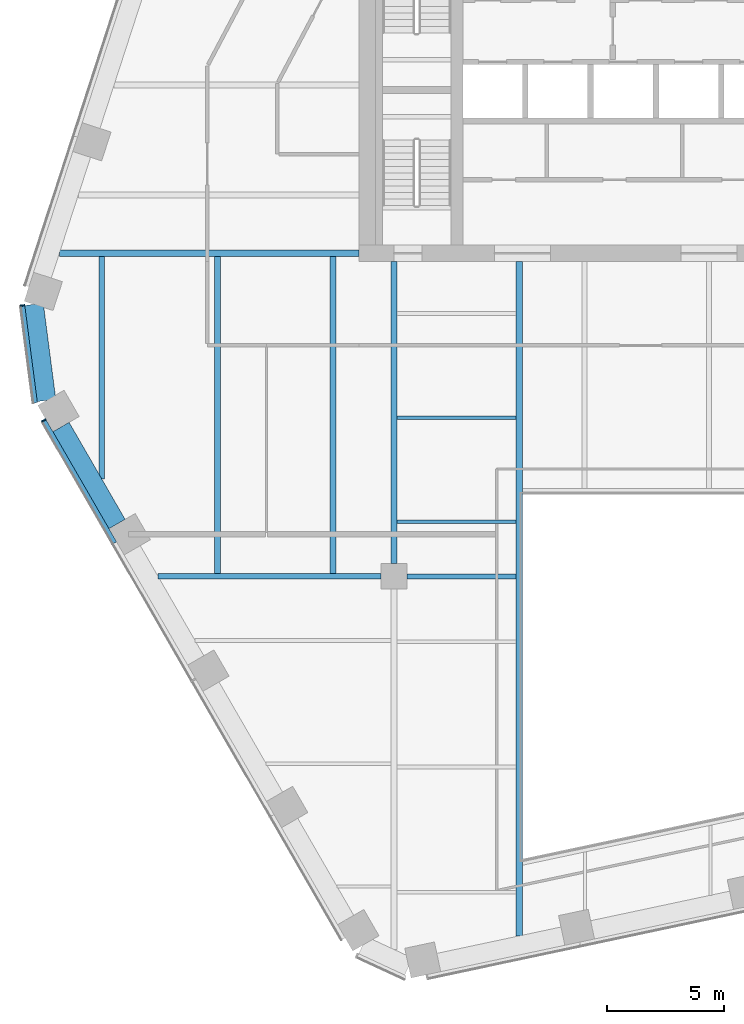
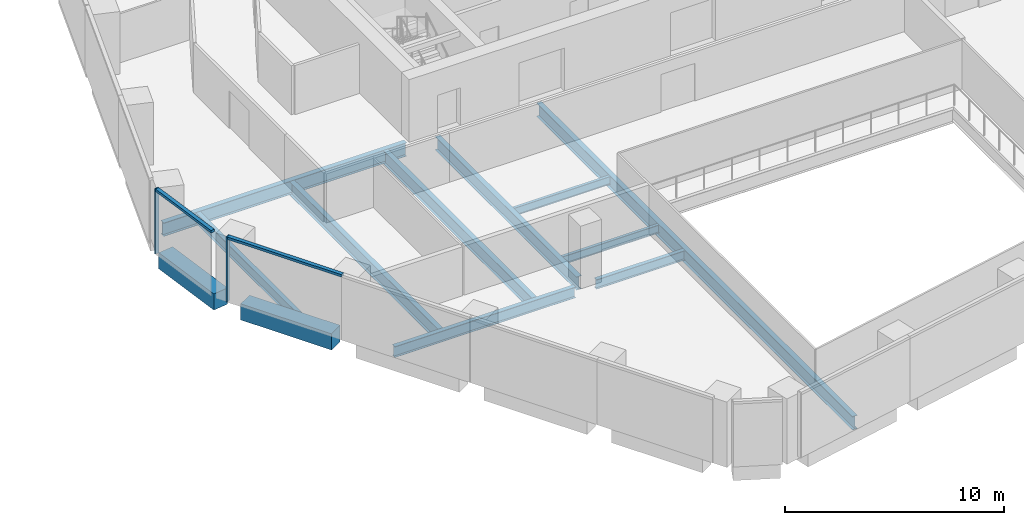
# One storey, part 3 of 16: 12 beams, 4 members, 2 elements without a shape of their own.
"""IFC4 building model written with IfcOpenShell, lengths in metres."""

from ifc_helpers import new_model, si_unit, direction, frame, origin, origin_2d, place, context, subcontext, project, spatial, rectangle, i_section, extrude, material, layer, layer_set, material_profile, profile_set, type_object, element, aggregate, save


model = new_model("IFC4")

# Units and contexts
model_context = context("Model", 3, precision=1e-05, world=origin(), true_north=direction((0.0, 1.0)))
body_context = subcontext(model_context, "Body", "Model", "MODEL_VIEW")
ifc_project = project(units=[si_unit("LENGTHUNIT", "METRE"), si_unit("AREAUNIT", "SQUARE_METRE"), si_unit("VOLUMEUNIT", "CUBIC_METRE"), si_unit("PLANEANGLEUNIT", "RADIAN"), si_unit("MASSUNIT", "GRAM", prefix="KILO")], contexts=[model_context])

# Site, building, storey
site_placement = place(None, origin())
site = spatial("IfcSite", under=ifc_project, at=site_placement, CompositionType="ELEMENT")
building_placement = place(site_placement, origin())
building = spatial("IfcBuilding", under=site, at=building_placement, Name="Isthmus Gate Tower", CompositionType="ELEMENT")
storey_placement = place(building_placement, frame((0.0, 0.0, 170.800048828125)))
storey = spatial("IfcBuildingStorey", under=building, at=storey_placement, Name="L42", CompositionType="ELEMENT", Elevation=170.800048828125)

# Curtain wall, member
ifc_material_1 = material(Name="Aluminium, pale champagne anodised", Category="aluminium")
ifc_layer = layer(ifc_material_1, 0.199951171875)
ifc_layer_set = layer_set([ifc_layer], Name="CW-1 UNITISED CURTAIN WALL 200 DEEP")
curtain_wall_type = type_object("IfcCurtainWallType", Name="CW-1 UNITISED CURTAIN WALL 200 DEEP", PredefinedType="NOTDEFINED", material=ifc_layer_set)
curtain_wall_1_placement = place(storey_placement, origin())
curtain_wall_1 = element("IfcCurtainWall", 1, at=curtain_wall_1_placement, inside=storey, type_object=curtain_wall_type, Name="CW-1 NW-SW L42", PredefinedType="NOTDEFINED")
ifc_material_2 = material(Name="Aluminium, pale champagne anodised", Category="aluminium")
ifc_material_profile_1 = material_profile(ifc_material_2, rectangle(XDim=0.06005859375, YDim=0.199951171875, at=origin_2d()), Name="60x200")
ifc_profile_set_1 = profile_set([ifc_material_profile_1], Name="Aluminium, pale champagne anodised")
member_type_1 = type_object("IfcMemberType", Name="CW-1 MULLION 60 X 200", PredefinedType="MULLION", material=ifc_profile_set_1)
member_1_placement = place(storey_placement, frame((-29.42724609375, -1.88525390625, 0.0), z_axis=(0.0, 0.0, 1.0), x_axis=(0.129164534, -0.991623175988, 0.0)))
member_1 = element("IfcMember", 2, at=member_1_placement, type_object=member_type_1, Name="CW-1 mullion", PredefinedType="MULLION", context=body_context, shape_type="SweptSolid", body=[
    extrude(rectangle(XDim=0.06005859375, YDim=0.199951171875, at=origin_2d()), origin(), (0.0, 0.0, 1.0), 3.64990234375),
])

curtain_wall_2_placement = place(storey_placement, origin())
curtain_wall_2 = element("IfcCurtainWall", 3, at=curtain_wall_2_placement, inside=storey, type_object=curtain_wall_type, Name="CW-1 SW L42", PredefinedType="NOTDEFINED")
member_2_placement = place(storey_placement, frame((-28.5146484375, -6.811279296875, 0.0), z_axis=(0.0, 0.0, 1.0), x_axis=(0.5, -0.866025403784, 0.0)))
member_2 = element("IfcMember", 4, at=member_2_placement, type_object=member_type_1, Name="CW-1 mullion", PredefinedType="MULLION", context=body_context, shape_type="SweptSolid", body=[
    extrude(rectangle(XDim=0.06005859375, YDim=0.199951171875, at=origin_2d()), origin(), (0.0, 0.0, 1.0), 3.64990234375),
])

# Member
ifc_material_3 = material(Name="Aluminium, pale champagne anodised", Category="aluminium")
ifc_material_profile_2 = material_profile(ifc_material_3, rectangle(XDim=0.199951171875, YDim=0.139892578125, at=origin_2d()), Name="200x140")
ifc_profile_set_2 = profile_set([ifc_material_profile_2], Name="Aluminium, pale champagne anodised")
member_type_2 = type_object("IfcMemberType", Name="CW-1 TRANSOM 200 X 140", PredefinedType="USERDEFINED", material=ifc_profile_set_2)
member_3_placement = place(storey_placement, frame((-29.42333984375, -1.9150390625, 3.579833984375), z_axis=(0.129149481977, -0.991625136483, 0.0), x_axis=(0.991625136483, 0.129149481977, 0.0)))
member_3 = element("IfcMember", 5, at=member_3_placement, type_object=member_type_2, Name="CW-1 transom", ObjectType="TRANSOM", PredefinedType="USERDEFINED", context=body_context, shape_type="SweptSolid", body=[
    extrude(rectangle(XDim=0.199951171875, YDim=0.139892578125, at=origin_2d()), origin(), (0.0, 0.0, 1.0), 4.181396484375),
])

aggregate(curtain_wall_1, [member_1, member_3])

member_4_placement = place(storey_placement, frame((-28.49951171875, -6.837158203125, 3.579833984375), z_axis=(0.499990697366, -0.866030774596, 0.0), x_axis=(0.866030774596, 0.499990697366, 0.0)))
member_4 = element("IfcMember", 6, at=member_4_placement, type_object=member_type_2, Name="CW-1 transom", ObjectType="TRANSOM", PredefinedType="USERDEFINED", context=body_context, shape_type="SweptSolid", body=[
    extrude(rectangle(XDim=0.199951171875, YDim=0.139892578125, at=origin_2d()), origin(), (0.0, 0.0, 1.0), 6.0400390625),
])

aggregate(curtain_wall_2, [member_2, member_4])

# Beams
ifc_material_4 = material(Name="Concrete f'c 60 MPa", Category="concrete")
ifc_material_profile_3 = material_profile(ifc_material_4, rectangle(XDim=0.800048828125, YDim=0.89990234375, at=origin_2d()), Name="RC 800X900")
ifc_profile_set_3 = profile_set([ifc_material_profile_3], Name="Concrete f'c 60 MPa")
beam_type_1 = type_object("IfcBeamType", Name="RC SPANDREL 800 X 900", PredefinedType="SPANDREL", material=ifc_profile_set_3)
beam_1_placement = place(storey_placement, frame((-25.37158203125, -11.255126953125, -0.449951171875), z_axis=(-0.499979284789, 0.866037363387, 0.0), x_axis=(-0.866037363387, -0.499979284789, 0.0)))
element("IfcBeam", 7, at=beam_1_placement, inside=storey, type_object=beam_type_1, Name="str-spandrel-L42-19", PredefinedType="SPANDREL", context=body_context, shape_type="SweptSolid", body=[
    extrude(rectangle(XDim=0.800048828125, YDim=0.89990234375, at=origin_2d()), origin(), (0.0, 0.0, 1.0), 4.800048828125),
])
beam_2_placement = place(storey_placement, frame((-28.392822265625, -5.955810546875, -0.449951171875), z_axis=(-0.129170777359, 0.991622362735, 0.0), x_axis=(-0.991622362735, -0.129170777359, 0.0)))
element("IfcBeam", 8, at=beam_2_placement, inside=storey, type_object=beam_type_1, Name="str-spandrel-L42-20", PredefinedType="SPANDREL", context=body_context, shape_type="SweptSolid", body=[
    extrude(rectangle(XDim=0.800048828125, YDim=0.89990234375, at=origin_2d()), origin(), (0.0, 0.0, 1.0), 4.15234375),
])
ifc_material_5 = material(Name="Structural steel ASTM A992 Gr 50", Category="steel")
ifc_material_profile_4 = material_profile(ifc_material_5, i_section(OverallWidth=0.15234375, OverallDepth=0.45068359375, WebThickness=0.0078125, FlangeThickness=0.010986328125, at=origin_2d()), Name="W18X35")
ifc_profile_set_4 = profile_set([ifc_material_profile_4], Name="Structural steel ASTM A992 Gr 50")
beam_type_2 = type_object("IfcBeamType", Name="STEEL FLOOR BEAM W18X35", PredefinedType="JOIST", material=ifc_profile_set_4)
for number, where, z_axis, x_axis, name in (
    (9, (-13.3681640625, -11.16259765625, -0.37548828125), (1.0, 0.0, 0.0), (0.0, 1.0, 0.0), "str-beam-L42-04-00"),
    (10, (-13.3681640625, -6.697509765625, -0.37548828125), (1.0, 0.0, 0.0), (0.0, 1.0, 0.0), "str-beam-L42-04-01"),
):
    element("IfcBeam", number, at=place(storey_placement, frame(where, z_axis=z_axis, x_axis=x_axis)), inside=storey, type_object=beam_type_2, Name=name, PredefinedType="JOIST", context=body_context, shape_type="SweptSolid", body=[
        extrude(i_section(OverallWidth=0.15234375, OverallDepth=0.45068359375, WebThickness=0.0078125, FlangeThickness=0.010986328125, at=origin_2d()), origin(), (0.0, 0.0, 1.0), 5.1015625),
    ])
ifc_material_6 = material(Name="Structural steel ASTM A992 Gr 50", Category="steel")
ifc_material_profile_5 = material_profile(ifc_material_6, i_section(OverallWidth=0.228515625, OverallDepth=0.603271484375, WebThickness=0.010986328125, FlangeThickness=0.014404296875, at=origin_2d()), Name="W24X68")
ifc_profile_set_5 = profile_set([ifc_material_profile_5], Name="Structural steel ASTM A992 Gr 50")
beam_type_3 = type_object("IfcBeamType", Name="STEEL FLOOR BEAM W24X68", PredefinedType="JOIST", material=ifc_profile_set_5)
beam_3_placement = place(storey_placement, frame((-26.028564453125, -9.317138671875, -0.45166015625), z_axis=(0.0, 1.0, 0.0), x_axis=(-1.0, 0.0, 0.0)))
element("IfcBeam", 11, at=beam_3_placement, inside=storey, type_object=beam_type_3, Name="str-beam-L42-00-00", PredefinedType="JOIST", context=body_context, shape_type="SweptSolid", body=[
    extrude(i_section(OverallWidth=0.228515625, OverallDepth=0.603271484375, WebThickness=0.010986328125, FlangeThickness=0.014404296875, at=origin_2d()), origin(), (0.0, 0.0, 1.0), 9.535400390625),
])
ifc_material_7 = material(Name="Structural steel ASTM A992 Gr 50", Category="steel")
ifc_material_profile_6 = material_profile(ifc_material_7, i_section(OverallWidth=0.263427734375, OverallDepth=0.749267578125, WebThickness=0.0126953125, FlangeThickness=0.015869140625, at=origin_2d()), Name="W30X90")
ifc_profile_set_6 = profile_set([ifc_material_profile_6], Name="Structural steel ASTM A992 Gr 50")
beam_type_4 = type_object("IfcBeamType", Name="STEEL FLOOR BEAM W30X90", PredefinedType="JOIST", material=ifc_profile_set_6)
for number, where, z_axis, x_axis, name in (
    (12, (-21.06982421875, -13.3857421875, -0.524658203125), (0.0, 1.0, 0.0), (-1.0, 0.0, 0.0), "str-beam-L42-00-01"),
    (13, (-16.111083984375, -13.3857421875, -0.524658203125), (0.0, 1.0, 0.0), (-1.0, 0.0, 0.0), "str-beam-L42-00-02"),
):
    element("IfcBeam", number, at=place(storey_placement, frame(where, z_axis=z_axis, x_axis=x_axis)), inside=storey, type_object=beam_type_4, Name=name, PredefinedType="JOIST", context=body_context, shape_type="SweptSolid", body=[
        extrude(i_section(OverallWidth=0.263427734375, OverallDepth=0.749267578125, WebThickness=0.0126953125, FlangeThickness=0.015869140625, at=origin_2d()), origin(), (0.0, 0.0, 1.0), 13.60400390625),
    ])
ifc_material_8 = material(Name="Structural steel ASTM A992 Gr 50", Category="steel")
ifc_material_profile_7 = material_profile(ifc_material_8, i_section(OverallWidth=0.20947265625, OverallDepth=0.533447265625, WebThickness=0.009521484375, FlangeThickness=0.015869140625, at=origin_2d()), Name="W21X62")
ifc_profile_set_7 = profile_set([ifc_material_profile_7], Name="Structural steel ASTM A992 Gr 50")
beam_type_5 = type_object("IfcBeamType", Name="STEEL GIRDER W21X62", PredefinedType="BEAM", material=ifc_profile_set_7)
beam_4_placement = place(storey_placement, frame((-12.949951171875, -13.5, -0.416748046875), z_axis=(1.0, 0.0, 0.0), x_axis=(0.0, 1.0, 0.0)))
element("IfcBeam", 14, at=beam_4_placement, inside=storey, type_object=beam_type_5, Name="str-girder-L42-02", PredefinedType="BEAM", context=body_context, shape_type="SweptSolid", body=[
    extrude(i_section(OverallWidth=0.20947265625, OverallDepth=0.533447265625, WebThickness=0.009521484375, FlangeThickness=0.015869140625, at=origin_2d()), origin(), (0.0, 0.0, 1.0), 4.683349609375),
])
ifc_material_9 = material(Name="Structural steel ASTM A992 Gr 50", Category="steel")
ifc_material_profile_8 = material_profile(ifc_material_9, i_section(OverallWidth=0.228515625, OverallDepth=0.6064453125, WebThickness=0.010986328125, FlangeThickness=0.017578125, at=origin_2d()), Name="W24X76")
ifc_profile_set_8 = profile_set([ifc_material_profile_8], Name="Structural steel ASTM A992 Gr 50")
beam_type_6 = type_object("IfcBeamType", Name="STEEL GIRDER W24X76", PredefinedType="BEAM", material=ifc_profile_set_8)
beam_5_placement = place(storey_placement, frame((-23.613525390625, -13.5, -0.453369140625), z_axis=(1.0, 0.0, 0.0), x_axis=(0.0, 1.0, 0.0)))
element("IfcBeam", 15, at=beam_5_placement, inside=storey, type_object=beam_type_6, Name="str-girder-L42-01", PredefinedType="BEAM", context=body_context, shape_type="SweptSolid", body=[
    extrude(i_section(OverallWidth=0.228515625, OverallDepth=0.6064453125, WebThickness=0.010986328125, FlangeThickness=0.017578125, at=origin_2d()), origin(), (0.0, 0.0, 1.0), 9.5634765625),
])
ifc_material_10 = material(Name="Structural steel ASTM A992 Gr 50", Category="steel")
ifc_material_profile_9 = material_profile(ifc_material_10, i_section(OverallWidth=0.263427734375, OverallDepth=0.749267578125, WebThickness=0.0126953125, FlangeThickness=0.015869140625, at=origin_2d()), Name="W30X90")
ifc_profile_set_9 = profile_set([ifc_material_profile_9], Name="Structural steel ASTM A992 Gr 50")
beam_type_7 = type_object("IfcBeamType", Name="STEEL GIRDER W30X90", PredefinedType="BEAM", material=ifc_profile_set_9)
beam_6_placement = place(storey_placement, frame((-13.5, -12.949951171875, -0.524658203125), z_axis=(0.0, 1.0, 0.0), x_axis=(-1.0, 0.0, 0.0)))
element("IfcBeam", 16, at=beam_6_placement, inside=storey, type_object=beam_type_7, Name="str-girder-L42-08", PredefinedType="BEAM", context=body_context, shape_type="SweptSolid", body=[
    extrude(i_section(OverallWidth=0.263427734375, OverallDepth=0.749267578125, WebThickness=0.0126953125, FlangeThickness=0.015869140625, at=origin_2d()), origin(), (0.0, 0.0, 1.0), 12.949951171875),
])
beam_7_placement = place(storey_placement, frame((-15.0, 0.35009765625, -0.524658203125), z_axis=(-1.0, 0.0, 0.0), x_axis=(0.0, -1.0, 0.0)))
element("IfcBeam", 17, at=beam_7_placement, inside=storey, type_object=beam_type_7, Name="str-girder-L42-13", PredefinedType="BEAM", context=body_context, shape_type="SweptSolid", body=[
    extrude(i_section(OverallWidth=0.263427734375, OverallDepth=0.749267578125, WebThickness=0.0126953125, FlangeThickness=0.015869140625, at=origin_2d()), origin(), (0.0, 0.0, 1.0), 12.8427734375),
])
ifc_material_11 = material(Name="Structural steel ASTM A992 Gr 50", Category="steel")
ifc_material_profile_10 = material_profile(ifc_material_11, i_section(OverallWidth=0.2666015625, OverallDepth=0.7587890625, WebThickness=0.014404296875, FlangeThickness=0.01904296875, at=origin_2d()), Name="W30X108")
ifc_profile_set_10 = profile_set([ifc_material_profile_10], Name="Structural steel ASTM A992 Gr 50")
beam_type_8 = type_object("IfcBeamType", Name="STEEL TRIMMER W30X108", PredefinedType="BEAM", material=ifc_profile_set_10)
beam_8_placement = place(storey_placement, frame((-8.13330078125, 0.0, -0.529541015625), z_axis=(0.0, -1.0, 0.0), x_axis=(1.0, 0.0, 0.0)))
element("IfcBeam", 18, at=beam_8_placement, inside=storey, type_object=beam_type_8, Name="str-trimmer-L42-02", PredefinedType="BEAM", context=body_context, shape_type="SweptSolid", body=[
    extrude(i_section(OverallWidth=0.2666015625, OverallDepth=0.7587890625, WebThickness=0.014404296875, FlangeThickness=0.01904296875, at=origin_2d()), origin(), (0.0, 0.0, 1.0), 28.910888671875),
])

save(model, "model.ifc")
